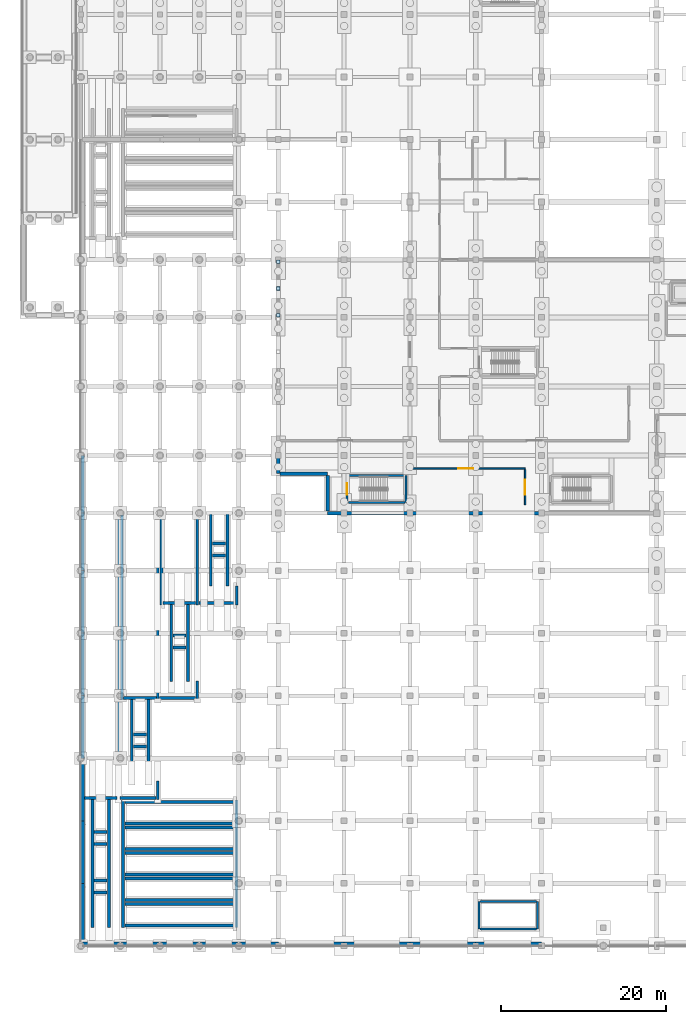
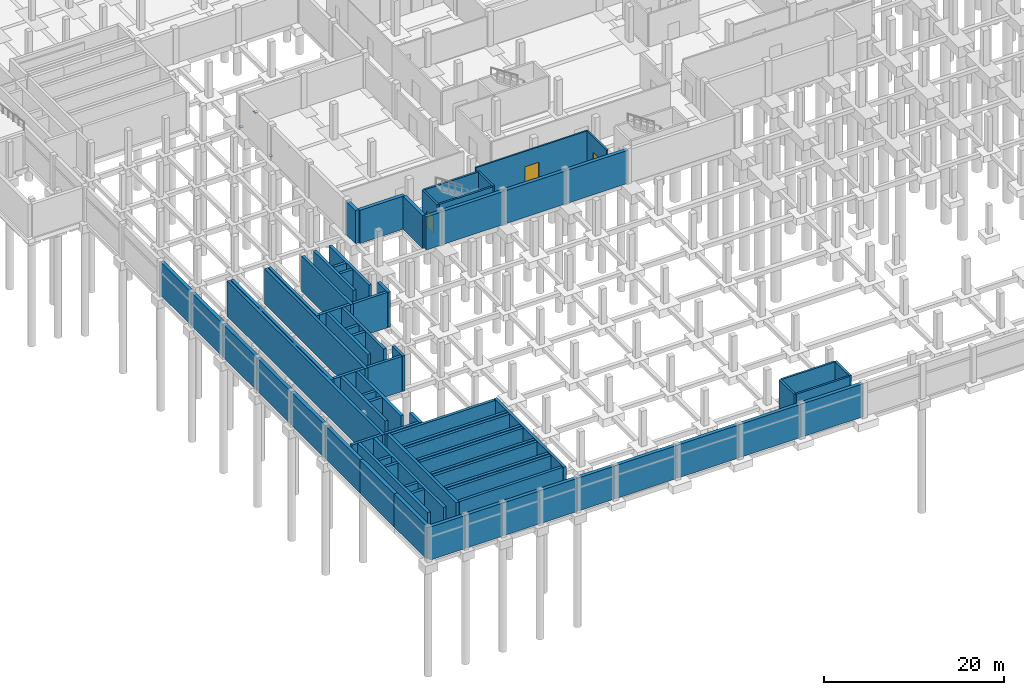
# One storey, part 32 of 50: 78 walls, 4 plates, 3 doors, 3 openings.
"""IFC4 building model written with IfcOpenShell, lengths in metres."""

from ifc_helpers import new_model, si_unit, direction, frame, frame_2d, origin, origin_2d, place, context, subcontext, project, spatial, rectangle, extrude, material, layer, layer_set, type_object, element, fill, save


model = new_model("IFC4")

# Units and contexts
model_context = context("Model", 3, precision=1e-05, world=origin(), true_north=direction((0.0, 1.0)))
body_context = subcontext(model_context, "Body", "Model", "MODEL_VIEW")
ifc_project = project(units=[si_unit("LENGTHUNIT", "METRE"), si_unit("AREAUNIT", "SQUARE_METRE"), si_unit("VOLUMEUNIT", "CUBIC_METRE"), si_unit("PLANEANGLEUNIT", "RADIAN"), si_unit("MASSUNIT", "GRAM", prefix="KILO")], contexts=[model_context])

# Site, building, storey
site_placement = place(None, origin())
site = spatial("IfcSite", under=ifc_project, at=site_placement, CompositionType="ELEMENT")
building_placement = place(site_placement, origin())
building = spatial("IfcBuilding", under=site, at=building_placement, Name="Vekula Escarpment Museum", CompositionType="ELEMENT")
storey_placement = place(building_placement, frame((0.0, 0.0, -4.800048828125)))
storey = spatial("IfcBuildingStorey", under=building, at=storey_placement, Name="B1", CompositionType="ELEMENT", Elevation=-4.800048828125)

# Plates
ifc_material_1 = material(Name="Steel S355", Category="steel")
ifc_layer_1 = layer(ifc_material_1, 0.02392578125)
ifc_layer_set_1 = layer_set([ifc_layer_1], Name="Steel S355")
plate_type_1 = type_object("IfcPlateType", Name="PL-CAP-24", PredefinedType="SHEET", material=ifc_layer_set_1)
for number, where, z_axis, x_axis, name in (
    (1, (24.0, 76.64306640625, 0.17919921875), (0.0, 0.0, 1.0), (1.0, 0.0, 0.0), "Hollow section end cap CP-24"),
    (2, (24.0, 83.15673828125, 0.17919921875), (0.0, 0.0, 1.0), (1.0, 0.0, 0.0), "Hollow section end cap CP-24"),
    (3, (24.0, 79.89306640625, 4.15625), (0.0, 0.0, 1.0), (1.0, 0.0, 0.0), "Hollow section end cap CP-24"),
):
    element("IfcPlate", number, at=place(storey_placement, frame(where, z_axis=z_axis, x_axis=x_axis)), inside=storey, type_object=plate_type_1, Name=name, PredefinedType="SHEET", context=body_context, shape_type="SweptSolid", body=[
        extrude(rectangle(XDim=0.3798828125, YDim=0.3798828125, at=origin_2d()), origin(), (0.0, 0.0, 1.0), 0.104736328125),
    ])
ifc_material_2 = material(Name="Steel S355", Category="steel")
ifc_layer_2 = layer(ifc_material_2, 0.0400390625)
ifc_layer_set_2 = layer_set([ifc_layer_2], Name="Steel S355")
plate_type_2 = type_object("IfcPlateType", Name="PL-CAP-40", PredefinedType="SHEET", material=ifc_layer_set_2)
plate_placement = place(storey_placement, frame((24.0, 79.89990234375, 4.197998046875), z_axis=(0.0, 0.0, 1.0), x_axis=(1.0, 0.0, 0.0)))
element("IfcPlate", 4, at=plate_placement, inside=storey, type_object=plate_type_2, Name="Hollow section end cap GP-40", PredefinedType="SHEET", context=body_context, shape_type="SweptSolid", body=[
    extrude(rectangle(XDim=0.4599609375, YDim=0.4599609375, at=origin_2d()), origin(), (0.0, 0.0, 1.0), 0.0400390625),
])

# Walls
ifc_material_3 = material(Name="Inkisi arkosic sandstone masonry", Category="masonry")
ifc_layer_3 = layer(ifc_material_3, 0.360107421875)
ifc_layer_set_3 = layer_set([ifc_layer_3], Name="Inkisi arkosic sandstone masonry")
wall_type_1 = type_object("IfcWallType", Name="WL-AMP-CHEEK", PredefinedType="SOLIDWALL", material=ifc_layer_set_3)
for number, where, z_axis, x_axis, name in (
    (5, (1.389892578125, 2.2099609375, 0.0), (0.0, 0.0, 1.0), (0.0, 1.0, 0.0), "Escarpment Plinth Sub-Plinth Wall ST-AMP-S1 W"),
    (6, (3.409912109375, 2.2099609375, 0.0), (0.0, 0.0, 1.0), (0.0, 1.0, 0.0), "Escarpment Plinth Sub-Plinth Wall ST-AMP-S1 E"),
):
    element("IfcWall", number, at=place(storey_placement, frame(where, z_axis=z_axis, x_axis=x_axis)), inside=storey, type_object=wall_type_1, Name=name, PredefinedType="SOLIDWALL", context=body_context, shape_type="SweptSolid", body=[
        extrude(rectangle(XDim=15.590087890625, YDim=0.360107421875, at=frame_2d((7.794921875, 0.0))), origin(), (0.0, 0.0, 1.0), 4.800048828125),
    ])
for number, where, z_axis, x_axis, name in (
    (7, (1.60009765625, 6.469970703125, 0.0), (0.0, 0.0, 1.0), (1.0, 0.0, 0.0), "Escarpment Plinth Landing Sub-Wall ST-AMP-S1-1A"),
    (8, (1.60009765625, 7.919921875, 0.0), (0.0, 0.0, 1.0), (1.0, 0.0, 0.0), "Escarpment Plinth Landing Sub-Wall ST-AMP-S1-1B"),
    (9, (1.60009765625, 12.3798828125, 0.0), (0.0, 0.0, 1.0), (1.0, 0.0, 0.0), "Escarpment Plinth Landing Sub-Wall ST-AMP-S1-2A"),
    (10, (1.60009765625, 13.830078125, 0.0), (0.0, 0.0, 1.0), (1.0, 0.0, 0.0), "Escarpment Plinth Landing Sub-Wall ST-AMP-S1-2B"),
):
    element("IfcWall", number, at=place(storey_placement, frame(where, z_axis=z_axis, x_axis=x_axis)), inside=storey, type_object=wall_type_1, Name=name, PredefinedType="SOLIDWALL", context=body_context, shape_type="SweptSolid", body=[
        extrude(rectangle(XDim=1.599853515625, YDim=0.360107421875, at=frame_2d((0.7998046875, 0.0))), origin(), (0.0, 0.0, 1.0), 4.800048828125),
    ])
for number, where, z_axis, x_axis, name in (
    (11, (6.18994140625, 19.97998046875, 0.0), (0.0, 0.0, 1.0), (0.0, 1.0, 0.0), "Escarpment Plinth Sub-Plinth Wall ST-AMP-S2 W"),
    (12, (8.2099609375, 19.97998046875, 0.0), (0.0, 0.0, 1.0), (0.0, 1.0, 0.0), "Escarpment Plinth Sub-Plinth Wall ST-AMP-S2 E"),
):
    element("IfcWall", number, at=place(storey_placement, frame(where, z_axis=z_axis, x_axis=x_axis)), inside=storey, type_object=wall_type_1, Name=name, PredefinedType="SOLIDWALL", context=body_context, shape_type="SweptSolid", body=[
        extrude(rectangle(XDim=9.969970703125, YDim=0.360107421875, at=frame_2d((4.98486328125, 0.0))), origin(), (0.0, 0.0, 1.0), 4.800048828125),
    ])
for number, where, z_axis, x_axis, name in (
    (13, (6.39990234375, 24.239990234375, 0.0), (0.0, 0.0, 1.0), (1.0, 0.0, 0.0), "Escarpment Plinth Landing Sub-Wall ST-AMP-S2-1A"),
    (14, (6.39990234375, 25.68994140625, 0.0), (0.0, 0.0, 1.0), (1.0, 0.0, 0.0), "Escarpment Plinth Landing Sub-Wall ST-AMP-S2-1B"),
):
    element("IfcWall", number, at=place(storey_placement, frame(where, z_axis=z_axis, x_axis=x_axis)), inside=storey, type_object=wall_type_1, Name=name, PredefinedType="SOLIDWALL", context=body_context, shape_type="SweptSolid", body=[
        extrude(rectangle(XDim=1.60009765625, YDim=0.360107421875, at=frame_2d((0.800048828125, 0.0))), origin(), (0.0, 0.0, 1.0), 4.800048828125),
    ])
for number, where, z_axis, x_axis, name in (
    (15, (10.989990234375, 32.14990234375, 0.0), (0.0, 0.0, 1.0), (0.0, 1.0, 0.0), "Escarpment Plinth Sub-Plinth Wall ST-AMP-S3 W"),
    (16, (13.010009765625, 32.14990234375, 0.0), (0.0, 0.0, 1.0), (0.0, 1.0, 0.0), "Escarpment Plinth Sub-Plinth Wall ST-AMP-S3 E"),
):
    element("IfcWall", number, at=place(storey_placement, frame(where, z_axis=z_axis, x_axis=x_axis)), inside=storey, type_object=wall_type_1, Name=name, PredefinedType="SOLIDWALL", context=body_context, shape_type="SweptSolid", body=[
        extrude(rectangle(XDim=9.35009765625, YDim=0.360107421875, at=frame_2d((4.675048828125, 0.0))), origin(), (0.0, 0.0, 1.0), 4.800048828125),
    ])
for number, where, z_axis, x_axis, name in (
    (17, (11.199951171875, 36.25, 0.0), (0.0, 0.0, 1.0), (1.0, 0.0, 0.0), "Escarpment Plinth Landing Sub-Wall ST-AMP-S3-1A"),
    (18, (11.199951171875, 37.699951171875, 0.0), (0.0, 0.0, 1.0), (1.0, 0.0, 0.0), "Escarpment Plinth Landing Sub-Wall ST-AMP-S3-1B"),
):
    element("IfcWall", number, at=place(storey_placement, frame(where, z_axis=z_axis, x_axis=x_axis)), inside=storey, type_object=wall_type_1, Name=name, PredefinedType="SOLIDWALL", context=body_context, shape_type="SweptSolid", body=[
        extrude(rectangle(XDim=1.60009765625, YDim=0.360107421875, at=frame_2d((0.800048828125, 0.0))), origin(), (0.0, 0.0, 1.0), 4.800048828125),
    ])
for number, where, z_axis, x_axis, name in (
    (19, (15.7900390625, 43.7099609375, 0.0), (0.0, 0.0, 1.0), (0.0, 1.0, 0.0), "Escarpment Plinth Sub-Plinth Wall ST-AMP-S4 W"),
    (20, (17.81005859375, 43.7099609375, 0.0), (0.0, 0.0, 1.0), (0.0, 1.0, 0.0), "Escarpment Plinth Sub-Plinth Wall ST-AMP-S4 E"),
):
    element("IfcWall", number, at=place(storey_placement, frame(where, z_axis=z_axis, x_axis=x_axis)), inside=storey, type_object=wall_type_1, Name=name, PredefinedType="SOLIDWALL", context=body_context, shape_type="SweptSolid", body=[
        extrude(rectangle(XDim=8.89013671875, YDim=0.360107421875, at=frame_2d((4.445068359375, 0.0))), origin(), (0.0, 0.0, 1.0), 4.800048828125),
    ])
for number, where, z_axis, x_axis, name in (
    (21, (16.0, 47.429931640625, 0.0), (0.0, 0.0, 1.0), (1.0, 0.0, 0.0), "Escarpment Plinth Landing Sub-Wall ST-AMP-S4-1A"),
    (22, (16.0, 48.8798828125, 0.0), (0.0, 0.0, 1.0), (1.0, 0.0, 0.0), "Escarpment Plinth Landing Sub-Wall ST-AMP-S4-1B"),
):
    element("IfcWall", number, at=place(storey_placement, frame(where, z_axis=z_axis, x_axis=x_axis)), inside=storey, type_object=wall_type_1, Name=name, PredefinedType="SOLIDWALL", context=body_context, shape_type="SweptSolid", body=[
        extrude(rectangle(XDim=1.60009765625, YDim=0.360107421875, at=frame_2d((0.800048828125, 0.0))), origin(), (0.0, 0.0, 1.0), 4.800048828125),
    ])
wall_1_placement = place(storey_placement, frame((4.550048828125, 17.760009765625, 0.0), z_axis=(0.0, 0.0, 1.0), x_axis=(0.0, 1.0, 0.0)))
element("IfcWall", 23, at=wall_1_placement, inside=storey, type_object=wall_type_1, Name="Terrace Plinth Sub-Wall B1-03", PredefinedType="SOLIDWALL", context=body_context, shape_type="SweptSolid", body=[
    extrude(rectangle(XDim=34.590087890625, YDim=0.360107421875, at=frame_2d((17.294921875, 0.0))), origin(), (0.0, 0.0, 1.0), 4.800048828125),
])
wall_2_placement = place(storey_placement, frame((9.35009765625, 17.760009765625, 0.0), z_axis=(0.0, 0.0, 1.0), x_axis=(0.0, 1.0, 0.0)))
element("IfcWall", 24, at=wall_2_placement, inside=storey, type_object=wall_type_1, Name="Terrace Plinth Sub-Wall B1-04", PredefinedType="SOLIDWALL", context=body_context, shape_type="SweptSolid", body=[
    extrude(rectangle(XDim=2.260009765625, YDim=0.360107421875, at=frame_2d((1.1298828125, 0.0))), origin(), (0.0, 0.0, 1.0), 4.800048828125),
])
wall_3_placement = place(storey_placement, frame((0.4541015625, 17.949951171875, 0.0), z_axis=(0.0, 0.0, 1.0), x_axis=(1.0, 0.0, 0.0)))
element("IfcWall", 25, at=wall_3_placement, inside=storey, type_object=wall_type_1, Name="Terrace Plinth Sub-Wall B1-05", PredefinedType="SOLIDWALL", context=body_context, shape_type="SweptSolid", body=[
    extrude(rectangle(XDim=3.911865234375, YDim=0.360107421875, at=frame_2d((1.9560546875, 0.0))), origin(), (0.0, 0.0, 1.0), 4.800048828125),
])
wall_4_placement = place(storey_placement, frame((4.73388671875, 17.949951171875, 0.0), z_axis=(0.0, 0.0, 1.0), x_axis=(1.0, 0.0, 0.0)))
element("IfcWall", 26, at=wall_4_placement, inside=storey, type_object=wall_type_1, Name="Terrace Plinth Sub-Wall B1-05", PredefinedType="SOLIDWALL", context=body_context, shape_type="SweptSolid", body=[
    extrude(rectangle(XDim=4.416015625, YDim=0.360107421875, at=frame_2d((2.2080078125, 0.0))), origin(), (0.0, 0.0, 1.0), 4.800048828125),
])
for number, where, z_axis, x_axis, name in (
    (27, (5.0, 29.909912109375, 0.0), (0.0, 0.0, 1.0), (0.0, 1.0, 0.0), "Terrace Plinth Sub-Wall B1-08"),
    (28, (9.35009765625, 29.909912109375, 0.0), (0.0, 0.0, 1.0), (0.0, 1.0, 0.0), "Terrace Plinth Sub-Wall B1-09"),
):
    element("IfcWall", number, at=place(storey_placement, frame(where, z_axis=z_axis, x_axis=x_axis)), inside=storey, type_object=wall_type_1, Name=name, PredefinedType="SOLIDWALL", context=body_context, shape_type="SweptSolid", body=[
        extrude(rectangle(XDim=22.440185546875, YDim=0.360107421875, at=frame_2d((11.22021484375, 0.0))), origin(), (0.0, 0.0, 1.0), 4.800048828125),
    ])
wall_5_placement = place(storey_placement, frame((14.14990234375, 29.909912109375, 0.0), z_axis=(0.0, 0.0, 1.0), x_axis=(0.0, 1.0, 0.0)))
element("IfcWall", 29, at=wall_5_placement, inside=storey, type_object=wall_type_1, Name="Terrace Plinth Sub-Wall B1-10", PredefinedType="SOLIDWALL", context=body_context, shape_type="SweptSolid", body=[
    extrude(rectangle(XDim=2.280029296875, YDim=0.360107421875, at=frame_2d((1.14013671875, 0.0))), origin(), (0.0, 0.0, 1.0), 4.800048828125),
])
wall_6_placement = place(storey_placement, frame((5.199951171875, 30.10009765625, 0.0), z_axis=(0.0, 0.0, 1.0), x_axis=(1.0, 0.0, 0.0)))
element("IfcWall", 30, at=wall_6_placement, inside=storey, type_object=wall_type_1, Name="Terrace Plinth Sub-Wall B1-11", PredefinedType="SOLIDWALL", context=body_context, shape_type="SweptSolid", body=[
    extrude(rectangle(XDim=3.966064453125, YDim=0.360107421875, at=frame_2d((1.98291015625, 0.0))), origin(), (0.0, 0.0, 1.0), 4.800048828125),
])
wall_7_placement = place(storey_placement, frame((9.533935546875, 30.10009765625, 0.0), z_axis=(0.0, 0.0, 1.0), x_axis=(1.0, 0.0, 0.0)))
element("IfcWall", 31, at=wall_7_placement, inside=storey, type_object=wall_type_1, Name="Terrace Plinth Sub-Wall B1-11", PredefinedType="SOLIDWALL", context=body_context, shape_type="SweptSolid", body=[
    extrude(rectangle(XDim=4.416015625, YDim=0.360107421875, at=frame_2d((2.2080078125, 0.0))), origin(), (0.0, 0.0, 1.0), 4.800048828125),
])
for number, where, z_axis, x_axis, name in (
    (32, (9.800048828125, 41.4599609375, 0.0), (0.0, 0.0, 1.0), (0.0, 1.0, 0.0), "Terrace Plinth Sub-Wall B1-12"),
    (33, (14.14990234375, 41.4599609375, 0.0), (0.0, 0.0, 1.0), (0.0, 1.0, 0.0), "Terrace Plinth Sub-Wall B1-13"),
):
    element("IfcWall", number, at=place(storey_placement, frame(where, z_axis=z_axis, x_axis=x_axis)), inside=storey, type_object=wall_type_1, Name=name, PredefinedType="SOLIDWALL", context=body_context, shape_type="SweptSolid", body=[
        extrude(rectangle(XDim=10.89013671875, YDim=0.360107421875, at=frame_2d((5.445068359375, 0.0))), origin(), (0.0, 0.0, 1.0), 4.800048828125),
    ])
wall_8_placement = place(storey_placement, frame((18.949951171875, 41.4599609375, 0.0), z_axis=(0.0, 0.0, 1.0), x_axis=(0.0, 1.0, 0.0)))
element("IfcWall", 34, at=wall_8_placement, inside=storey, type_object=wall_type_1, Name="Terrace Plinth Sub-Wall B1-14", PredefinedType="SOLIDWALL", context=body_context, shape_type="SweptSolid", body=[
    extrude(rectangle(XDim=2.2900390625, YDim=0.360107421875, at=frame_2d((1.14501953125, 0.0))), origin(), (0.0, 0.0, 1.0), 4.800048828125),
])
wall_9_placement = place(storey_placement, frame((10.0, 41.64990234375, 0.0), z_axis=(0.0, 0.0, 1.0), x_axis=(1.0, 0.0, 0.0)))
element("IfcWall", 35, at=wall_9_placement, inside=storey, type_object=wall_type_1, Name="Terrace Plinth Sub-Wall B1-15", PredefinedType="SOLIDWALL", context=body_context, shape_type="SweptSolid", body=[
    extrude(rectangle(XDim=3.966064453125, YDim=0.360107421875, at=frame_2d((1.98291015625, 0.0))), origin(), (0.0, 0.0, 1.0), 4.800048828125),
])
wall_10_placement = place(storey_placement, frame((14.333984375, 41.64990234375, 0.0), z_axis=(0.0, 0.0, 1.0), x_axis=(1.0, 0.0, 0.0)))
element("IfcWall", 36, at=wall_10_placement, inside=storey, type_object=wall_type_1, Name="Terrace Plinth Sub-Wall B1-15", PredefinedType="SOLIDWALL", context=body_context, shape_type="SweptSolid", body=[
    extrude(rectangle(XDim=4.416015625, YDim=0.360107421875, at=frame_2d((2.2080078125, 0.0))), origin(), (0.0, 0.0, 1.0), 4.800048828125),
])
for number, where, z_axis, x_axis, name in (
    (37, (5.10009765625, 2.25, 0.0), (0.0, 0.0, 1.0), (0.0, 1.0, 0.0), "Escarpment Plinth Bowl Sub-Wall S-W"),
    (38, (18.89990234375, 2.25, 0.0), (0.0, 0.0, 1.0), (0.0, 1.0, 0.0), "Escarpment Plinth Bowl Sub-Wall S-E"),
):
    element("IfcWall", number, at=place(storey_placement, frame(where, z_axis=z_axis, x_axis=x_axis)), inside=storey, type_object=wall_type_1, Name=name, PredefinedType="SOLIDWALL", context=body_context, shape_type="SweptSolid", body=[
        extrude(rectangle(XDim=15.469970703125, YDim=0.360107421875, at=frame_2d((7.73486328125, 0.0))), origin(), (0.0, 0.0, 1.0), 4.800048828125),
    ])
for number, where, z_axis, x_axis, name in (
    (39, (5.35009765625, 2.469970703125, 0.0), (0.0, 0.0, 1.0), (1.0, 0.0, 0.0), "Escarpment Plinth Bench Sub-Wall 01F"),
    (40, (5.35009765625, 5.080078125, 0.0), (0.0, 0.0, 1.0), (1.0, 0.0, 0.0), "Escarpment Plinth Bench Sub-Wall 01B"),
    (41, (5.35009765625, 5.550048828125, 0.0), (0.0, 0.0, 1.0), (1.0, 0.0, 0.0), "Escarpment Plinth Bench Sub-Wall 02F"),
    (42, (5.35009765625, 8.179931640625, 0.0), (0.0, 0.0, 1.0), (1.0, 0.0, 0.0), "Escarpment Plinth Bench Sub-Wall 02B"),
    (43, (5.35009765625, 8.64990234375, 0.0), (0.0, 0.0, 1.0), (1.0, 0.0, 0.0), "Escarpment Plinth Bench Sub-Wall 03F"),
    (44, (5.35009765625, 11.280029296875, 0.0), (0.0, 0.0, 1.0), (1.0, 0.0, 0.0), "Escarpment Plinth Bench Sub-Wall 03B"),
    (45, (5.35009765625, 11.75, 0.0), (0.0, 0.0, 1.0), (1.0, 0.0, 0.0), "Escarpment Plinth Bench Sub-Wall 04F"),
    (46, (5.35009765625, 14.3798828125, 0.0), (0.0, 0.0, 1.0), (1.0, 0.0, 0.0), "Escarpment Plinth Bench Sub-Wall 04B"),
    (47, (5.35009765625, 14.85009765625, 0.0), (0.0, 0.0, 1.0), (1.0, 0.0, 0.0), "Escarpment Plinth Bench Sub-Wall 05F"),
    (48, (5.35009765625, 17.5, 0.0), (0.0, 0.0, 1.0), (1.0, 0.0, 0.0), "Escarpment Plinth Bench Sub-Wall 05B"),
):
    element("IfcWall", number, at=place(storey_placement, frame(where, z_axis=z_axis, x_axis=x_axis)), inside=storey, type_object=wall_type_1, Name=name, PredefinedType="SOLIDWALL", context=body_context, shape_type="SweptSolid", body=[
        extrude(rectangle(XDim=13.2998046875, YDim=0.360107421875, at=frame_2d((6.64990234375, 0.0))), origin(), (0.0, 0.0, 1.0), 4.800048828125),
    ])
ifc_material_4 = material(Name="Concrete C35/45", Category="concrete")
ifc_layer_4 = layer(ifc_material_4, 0.25)
ifc_layer_set_4 = layer_set([ifc_layer_4], Name="Concrete C35/45")
wall_type_2 = type_object("IfcWallType", Name="WL-CORE-250", PredefinedType="SHEAR", material=ifc_layer_set_4)
for number, where, z_axis, x_axis, name in (
    (49, (48.375, 2.074951171875, 0.0), (0.0, 0.0, 1.0), (0.0, 1.0, 0.0), "Stair Sub-Plinth Wall ST-07 W"),
    (50, (55.52490234375, 2.074951171875, 0.0), (0.0, 0.0, 1.0), (0.0, 1.0, 0.0), "Stair Sub-Plinth Wall ST-07 E"),
):
    element("IfcWall", number, at=place(storey_placement, frame(where, z_axis=z_axis, x_axis=x_axis)), inside=storey, type_object=wall_type_2, Name=name, PredefinedType="SHEAR", context=body_context, shape_type="SweptSolid", body=[
        extrude(rectangle(XDim=3.2900390625, YDim=0.25, at=frame_2d((1.64501953125, 0.0))), origin(), (0.0, 0.0, 1.0), 4.5),
    ])
for number, where, z_axis, x_axis, name in (
    (51, (48.50390625, 2.074951171875, 0.0), (0.0, 0.0, 1.0), (1.0, 0.0, 0.0), "Stair Sub-Plinth Wall ST-07 S"),
    (52, (48.50390625, 5.364990234375, 0.0), (0.0, 0.0, 1.0), (1.0, 0.0, 0.0), "Stair Sub-Plinth Wall ST-07 N"),
):
    element("IfcWall", number, at=place(storey_placement, frame(where, z_axis=z_axis, x_axis=x_axis)), inside=storey, type_object=wall_type_2, Name=name, PredefinedType="SHEAR", context=body_context, shape_type="SweptSolid", body=[
        extrude(rectangle(XDim=6.89208984375, YDim=0.25, at=frame_2d((3.446044921875, 0.0))), origin(), (0.0, 0.0, 1.0), 4.5),
    ])

# Wall, opening, door
wall_11_placement = place(storey_placement, frame((32.375, 53.875, 0.0), z_axis=(0.0, 0.0, 1.0), x_axis=(0.0, 1.0, 0.0)))
wall_11 = element("IfcWall", 53, at=wall_11_placement, inside=storey, type_object=wall_type_2, Name="Stair Core Wall ST-04 B1 W", PredefinedType="SHEAR", context=body_context, shape_type="SweptSolid", body=[
    extrude(rectangle(XDim=3.2900390625, YDim=0.25, at=frame_2d((1.64501953125, 0.0))), origin(), (0.0, 0.0, 1.0), 4.5),
])
opening_1_placement = place(wall_11_placement, frame((0.945068359375, 0.0, 0.0)))
opening_1 = element("IfcOpeningElement", 54, at=opening_1_placement, cuts=wall_11, Name="Opening DR-FD60", PredefinedType="OPENING", context=body_context, shape_type="SweptSolid", body=[
    extrude(rectangle(XDim=1.39990234375, YDim=2.199951171875, at=frame_2d((0.699951171875, 1.10009765625))), frame((0.0, 0.135009765625, 0.0), z_axis=(0.0, -1.0, 0.0), x_axis=(1.0, 0.0, 0.0)), (0.0, 0.0, 1.0), 0.27001953125),
])
ifc_material_5 = material(Name="Fire-rated steel stair door", Category="steel")
door_type_1 = type_object("IfcDoorType", Name="DR-STAIR-1400x2200", OperationType="NOTDEFINED", PredefinedType="DOOR", material=ifc_material_5)
door_1_placement = place(opening_1_placement, origin())
door_1 = element("IfcDoor", 55, at=door_1_placement, inside=storey, type_object=door_type_1, Name="Protected Exit Stair Door ST-04 B1", OperationType="SINGLE_SWING_LEFT", OverallHeight=2.199951171875, OverallWidth=1.39990234375, PredefinedType="DOOR", context=body_context, shape_type="SweptSolid", body=[
    extrude(rectangle(XDim=1.39990234375, YDim=2.199951171875, at=frame_2d((0.699951171875, 1.10009765625))), frame((0.0, 0.02490234375, 0.0), z_axis=(0.0, -1.0, 0.0), x_axis=(1.0, 0.0, 0.0)), (0.0, 0.0, 1.0), 0.050048828125),
])
fill(opening_1, door_1)

# Walls
wall_12_placement = place(storey_placement, frame((39.52490234375, 53.875, 0.0), z_axis=(0.0, 0.0, 1.0), x_axis=(0.0, 1.0, 0.0)))
element("IfcWall", 56, at=wall_12_placement, inside=storey, type_object=wall_type_2, Name="Stair Core Wall ST-04 B1 E", PredefinedType="SHEAR", context=body_context, shape_type="SweptSolid", body=[
    extrude(rectangle(XDim=3.2900390625, YDim=0.25, at=frame_2d((1.64501953125, 0.0))), origin(), (0.0, 0.0, 1.0), 4.5),
])
for number, where, z_axis, x_axis, name in (
    (57, (32.50390625, 53.875, 0.0), (0.0, 0.0, 1.0), (1.0, 0.0, 0.0), "Stair Core Wall ST-04 B1 S"),
    (58, (32.50390625, 57.1650390625, 0.0), (0.0, 0.0, 1.0), (1.0, 0.0, 0.0), "Stair Core Wall ST-04 B1 N"),
):
    element("IfcWall", number, at=place(storey_placement, frame(where, z_axis=z_axis, x_axis=x_axis)), inside=storey, type_object=wall_type_2, Name=name, PredefinedType="SHEAR", context=body_context, shape_type="SweptSolid", body=[
        extrude(rectangle(XDim=6.89208984375, YDim=0.25, at=frame_2d((3.446044921875, 0.0))), origin(), (0.0, 0.0, 1.0), 4.5),
    ])

# Wall, opening, door
ifc_material_6 = material(Name="Concrete C35/45", Category="concrete")
ifc_layer_5 = layer(ifc_material_6, 0.199951171875)
ifc_layer_set_5 = layer_set([ifc_layer_5], Name="Concrete C35/45")
wall_type_3 = type_object("IfcWallType", Name="WL-FFL-200", PredefinedType="PARTITIONING", material=ifc_layer_set_5)
wall_13_placement = place(storey_placement, frame((39.60009765625, 58.0, 0.0), z_axis=(0.0, 0.0, 1.0), x_axis=(1.0, 0.0, 0.0)))
wall_13 = element("IfcWall", 59, at=wall_13_placement, inside=storey, type_object=wall_type_3, Name="Interior Partition WL-INT-B1-0012", PredefinedType="PARTITIONING", context=body_context, shape_type="SweptSolid", body=[
    extrude(rectangle(XDim=14.39990234375, YDim=0.199951171875, at=frame_2d((7.199951171875, 0.0))), origin(), (0.0, 0.0, 1.0), 4.5),
])
opening_2_placement = place(wall_13_placement, frame((6.300048828125, 0.0, 0.0)))
opening_2 = element("IfcOpeningElement", 60, at=opening_2_placement, cuts=wall_13, Name="Opening DR-FD120", PredefinedType="OPENING", context=body_context, shape_type="SweptSolid", body=[
    extrude(rectangle(XDim=1.800048828125, YDim=2.39990234375, at=frame_2d((0.89990234375, 1.199951171875))), frame((0.0, 0.10986328125, 0.0), z_axis=(0.0, -1.0, 0.0), x_axis=(1.0, 0.0, 0.0)), (0.0, 0.0, 1.0), 0.219970703125),
])
ifc_material_7 = material(Name="Fire-rated steel archive vault door", Category="steel")
door_type_2 = type_object("IfcDoorType", Name="DR-VAULT-1800x2400", OperationType="NOTDEFINED", PredefinedType="DOOR", material=ifc_material_7)
door_2_placement = place(opening_2_placement, origin())
door_2 = element("IfcDoor", 61, at=door_2_placement, inside=storey, type_object=door_type_2, Name="Interior Door B1-009", OperationType="SINGLE_SWING_LEFT", OverallHeight=2.39990234375, OverallWidth=1.800048828125, PredefinedType="DOOR", context=body_context, shape_type="SweptSolid", body=[
    extrude(rectangle(XDim=1.800048828125, YDim=2.39990234375, at=frame_2d((0.89990234375, 1.199951171875))), frame((0.0, 0.02490234375, 0.0), z_axis=(0.0, -1.0, 0.0), x_axis=(1.0, 0.0, 0.0)), (0.0, 0.0, 1.0), 0.050048828125),
])
fill(opening_2, door_2)

wall_14_placement = place(storey_placement, frame((54.0, 53.60009765625, 0.0), z_axis=(0.0, 0.0, 1.0), x_axis=(0.0, 1.0, 0.0)))
wall_14 = element("IfcWall", 62, at=wall_14_placement, inside=storey, type_object=wall_type_3, Name="Interior Partition WL-INT-B1-0019", PredefinedType="PARTITIONING", context=body_context, shape_type="SweptSolid", body=[
    extrude(rectangle(XDim=4.2958984375, YDim=0.199951171875, at=frame_2d((2.14794921875, 0.0))), origin(), (0.0, 0.0, 1.0), 4.5),
])
opening_3_placement = place(wall_14_placement, frame((1.248046875, 0.0, 0.0)))
opening_3 = element("IfcOpeningElement", 63, at=opening_3_placement, cuts=wall_14, Name="Opening DR-FD120", PredefinedType="OPENING", context=body_context, shape_type="SweptSolid", body=[
    extrude(rectangle(XDim=1.800048828125, YDim=2.39990234375, at=frame_2d((0.89990234375, 1.199951171875))), frame((0.0, 0.10986328125, 0.0), z_axis=(0.0, -1.0, 0.0), x_axis=(1.0, 0.0, 0.0)), (0.0, 0.0, 1.0), 0.219970703125),
])
door_3_placement = place(opening_3_placement, origin())
door_3 = element("IfcDoor", 64, at=door_3_placement, inside=storey, type_object=door_type_2, Name="Interior Door B1-015", OperationType="SINGLE_SWING_LEFT", OverallHeight=2.39990234375, OverallWidth=1.800048828125, PredefinedType="DOOR", context=body_context, shape_type="SweptSolid", body=[
    extrude(rectangle(XDim=1.800048828125, YDim=2.39990234375, at=frame_2d((0.89990234375, 1.199951171875))), frame((0.0, 0.02490234375, 0.0), z_axis=(0.0, -1.0, 0.0), x_axis=(1.0, 0.0, 0.0)), (0.0, 0.0, 1.0), 0.050048828125),
])
fill(opening_3, door_3)

# Walls
ifc_material_8 = material(Name="Inkisi arkosic sandstone masonry", Category="masonry")
ifc_layer_6 = layer(ifc_material_8, 0.449951171875)
ifc_layer_set_6 = layer_set([ifc_layer_6], Name="Inkisi arkosic sandstone masonry")
wall_type_4 = type_object("IfcWallType", Name="WL-PLN-450", PredefinedType="SOLIDWALL", material=ifc_layer_set_6)
wall_15_placement = place(storey_placement, frame((0.22509765625, 0.22509765625, 0.0), z_axis=(0.0, 0.0, 1.0), x_axis=(1.0, 0.0, 0.0)))
element("IfcWall", 65, at=wall_15_placement, inside=storey, type_object=wall_type_4, Name="Sandstone Plinth Perimeter Wall 0001", PredefinedType="SOLIDWALL", context=body_context, shape_type="SweptSolid", body=[
    extrude(rectangle(XDim=4.574951171875, YDim=0.449951171875, at=frame_2d((2.28759765625, 0.0))), origin(), (0.0, 0.0, 1.0), 4.5),
])
wall_16_placement = place(storey_placement, frame((4.800048828125, 0.22509765625, 0.0), z_axis=(0.0, 0.0, 1.0), x_axis=(1.0, 0.0, 0.0)))
element("IfcWall", 66, at=wall_16_placement, inside=storey, type_object=wall_type_4, Name="Sandstone Plinth Perimeter Wall 0002", PredefinedType="SOLIDWALL", context=body_context, shape_type="SweptSolid", body=[
    extrude(rectangle(XDim=4.800048828125, YDim=0.449951171875, at=frame_2d((2.39990234375, 0.0))), origin(), (0.0, 0.0, 1.0), 4.5),
])
wall_17_placement = place(storey_placement, frame((9.60009765625, 0.22509765625, 0.0), z_axis=(0.0, 0.0, 1.0), x_axis=(1.0, 0.0, 0.0)))
element("IfcWall", 67, at=wall_17_placement, inside=storey, type_object=wall_type_4, Name="Sandstone Plinth Perimeter Wall 0003", PredefinedType="SOLIDWALL", context=body_context, shape_type="SweptSolid", body=[
    extrude(rectangle(XDim=4.7998046875, YDim=0.449951171875, at=frame_2d((2.39990234375, 0.0))), origin(), (0.0, 0.0, 1.0), 4.5),
])
for number, where, z_axis, x_axis, name in (
    (68, (14.39990234375, 0.22509765625, 0.0), (0.0, 0.0, 1.0), (1.0, 0.0, 0.0), "Sandstone Plinth Perimeter Wall 0004"),
    (69, (19.199951171875, 0.22509765625, 0.0), (0.0, 0.0, 1.0), (1.0, 0.0, 0.0), "Sandstone Plinth Perimeter Wall 0005"),
):
    element("IfcWall", number, at=place(storey_placement, frame(where, z_axis=z_axis, x_axis=x_axis)), inside=storey, type_object=wall_type_4, Name=name, PredefinedType="SOLIDWALL", context=body_context, shape_type="SweptSolid", body=[
        extrude(rectangle(XDim=4.800048828125, YDim=0.449951171875, at=frame_2d((2.39990234375, 0.0))), origin(), (0.0, 0.0, 1.0), 4.5),
    ])
for number, where, z_axis, x_axis, name in (
    (70, (24.0, 0.22509765625, 0.0), (0.0, 0.0, 1.0), (1.0, 0.0, 0.0), "Sandstone Plinth Perimeter Wall 0006"),
    (71, (32.0, 0.22509765625, 0.0), (0.0, 0.0, 1.0), (1.0, 0.0, 0.0), "Sandstone Plinth Perimeter Wall 0007"),
    (72, (40.0, 0.22509765625, 0.0), (0.0, 0.0, 1.0), (1.0, 0.0, 0.0), "Sandstone Plinth Perimeter Wall 0008"),
    (73, (48.0, 0.22509765625, 0.0), (0.0, 0.0, 1.0), (1.0, 0.0, 0.0), "Sandstone Plinth Perimeter Wall 0009"),
):
    element("IfcWall", number, at=place(storey_placement, frame(where, z_axis=z_axis, x_axis=x_axis)), inside=storey, type_object=wall_type_4, Name=name, PredefinedType="SOLIDWALL", context=body_context, shape_type="SweptSolid", body=[
        extrude(rectangle(XDim=8.0, YDim=0.449951171875, at=frame_2d((4.0, 0.0))), origin(), (0.0, 0.0, 1.0), 4.5),
    ])
for number, where, z_axis, x_axis, name in (
    (74, (0.22509765625, 59.60009765625, 0.0), (0.0, 0.0, 1.0), (0.0, -1.0, 0.0), "Sandstone Plinth Perimeter Wall 0074"),
    (75, (0.22509765625, 52.60009765625, 0.0), (0.0, 0.0, 1.0), (0.0, -1.0, 0.0), "Sandstone Plinth Perimeter Wall 0075"),
):
    element("IfcWall", number, at=place(storey_placement, frame(where, z_axis=z_axis, x_axis=x_axis)), inside=storey, type_object=wall_type_4, Name=name, PredefinedType="SOLIDWALL", context=body_context, shape_type="SweptSolid", body=[
        extrude(rectangle(XDim=7.0, YDim=0.449951171875, at=frame_2d((3.5, 0.0))), origin(), (0.0, 0.0, 1.0), 4.5),
    ])
for number, where, z_axis, x_axis, name in (
    (76, (0.22509765625, 45.60009765625, 0.0), (0.0, 0.0, 1.0), (0.0, -1.0, 0.0), "Sandstone Plinth Perimeter Wall 0076"),
    (77, (0.22509765625, 38.0, 0.0), (0.0, 0.0, 1.0), (0.0, -1.0, 0.0), "Sandstone Plinth Perimeter Wall 0077"),
):
    element("IfcWall", number, at=place(storey_placement, frame(where, z_axis=z_axis, x_axis=x_axis)), inside=storey, type_object=wall_type_4, Name=name, PredefinedType="SOLIDWALL", context=body_context, shape_type="SweptSolid", body=[
        extrude(rectangle(XDim=7.60009765625, YDim=0.449951171875, at=frame_2d((3.800048828125, 0.0))), origin(), (0.0, 0.0, 1.0), 4.5),
    ])
wall_18_placement = place(storey_placement, frame((0.22509765625, 30.39990234375, 0.0), z_axis=(0.0, 0.0, 1.0), x_axis=(0.0, -1.0, 0.0)))
element("IfcWall", 78, at=wall_18_placement, inside=storey, type_object=wall_type_4, Name="Sandstone Plinth Perimeter Wall 0078", PredefinedType="SOLIDWALL", context=body_context, shape_type="SweptSolid", body=[
    extrude(rectangle(XDim=7.599853515625, YDim=0.449951171875, at=frame_2d((3.7998046875, 0.0))), origin(), (0.0, 0.0, 1.0), 4.5),
])
wall_19_placement = place(storey_placement, frame((0.22509765625, 22.800048828125, 0.0), z_axis=(0.0, 0.0, 1.0), x_axis=(0.0, -1.0, 0.0)))
element("IfcWall", 79, at=wall_19_placement, inside=storey, type_object=wall_type_4, Name="Sandstone Plinth Perimeter Wall 0079", PredefinedType="SOLIDWALL", context=body_context, shape_type="SweptSolid", body=[
    extrude(rectangle(XDim=7.60009765625, YDim=0.449951171875, at=frame_2d((3.800048828125, 0.0))), origin(), (0.0, 0.0, 1.0), 4.5),
])
wall_20_placement = place(storey_placement, frame((0.22509765625, 15.199951171875, 0.0), z_axis=(0.0, 0.0, 1.0), x_axis=(0.0, -1.0, 0.0)))
element("IfcWall", 80, at=wall_20_placement, inside=storey, type_object=wall_type_4, Name="Sandstone Plinth Perimeter Wall 0080", PredefinedType="SOLIDWALL", context=body_context, shape_type="SweptSolid", body=[
    extrude(rectangle(XDim=7.599853515625, YDim=0.449951171875, at=frame_2d((3.7998046875, 0.0))), origin(), (0.0, 0.0, 1.0), 4.5),
])
wall_21_placement = place(storey_placement, frame((0.22509765625, 7.60009765625, 0.0), z_axis=(0.0, 0.0, 1.0), x_axis=(0.0, -1.0, 0.0)))
element("IfcWall", 81, at=wall_21_placement, inside=storey, type_object=wall_type_4, Name="Sandstone Plinth Perimeter Wall 0081", PredefinedType="SOLIDWALL", context=body_context, shape_type="SweptSolid", body=[
    extrude(rectangle(XDim=7.14599609375, YDim=0.449951171875, at=frame_2d((3.572998046875, 0.0))), origin(), (0.0, 0.0, 1.0), 4.5),
])
ifc_material_9 = material(Name="Concrete C35/45", Category="concrete")
ifc_layer_7 = layer(ifc_material_9, 0.449951171875)
ifc_layer_set_7 = layer_set([ifc_layer_7], Name="Concrete C35/45")
wall_type_5 = type_object("IfcWallType", Name="WL-RET-450", PredefinedType="USERDEFINED", material=ifc_layer_set_7)
wall_22_placement = place(storey_placement, frame((32.0, 52.60009765625, 0.0), z_axis=(0.0, 0.0, 1.0), x_axis=(-1.0, 0.0, 0.0)))
element("IfcWall", 82, at=wall_22_placement, inside=storey, type_object=wall_type_5, Name="Exterior Wall WL-EXT-B1-0001", ObjectType="RETAINING WALL", PredefinedType="USERDEFINED", context=body_context, shape_type="SweptSolid", body=[
    extrude(rectangle(XDim=2.0, YDim=0.449951171875, at=frame_2d((1.0, 0.0))), origin(), (0.0, 0.0, 1.0), 4.5),
])
for number, where, z_axis, x_axis, name in (
    (83, (40.0, 52.60009765625, 0.0), (0.0, 0.0, 1.0), (-1.0, 0.0, 0.0), "Exterior Wall WL-EXT-B1-0002"),
    (84, (48.0, 52.60009765625, 0.0), (0.0, 0.0, 1.0), (-1.0, 0.0, 0.0), "Exterior Wall WL-EXT-B1-0003"),
    (85, (56.0, 52.60009765625, 0.0), (0.0, 0.0, 1.0), (-1.0, 0.0, 0.0), "Exterior Wall WL-EXT-B1-0004"),
):
    element("IfcWall", number, at=place(storey_placement, frame(where, z_axis=z_axis, x_axis=x_axis)), inside=storey, type_object=wall_type_5, Name=name, ObjectType="RETAINING WALL", PredefinedType="USERDEFINED", context=body_context, shape_type="SweptSolid", body=[
        extrude(rectangle(XDim=8.0, YDim=0.449951171875, at=frame_2d((4.0, 0.0))), origin(), (0.0, 0.0, 1.0), 4.5),
    ])
wall_23_placement = place(storey_placement, frame((24.0, 57.39990234375, 0.0), z_axis=(0.0, 0.0, 1.0), x_axis=(0.0, 1.0, 0.0)))
element("IfcWall", 86, at=wall_23_placement, inside=storey, type_object=wall_type_5, Name="Exterior Wall WL-EXT-B1-0056", ObjectType="RETAINING WALL", PredefinedType="USERDEFINED", context=body_context, shape_type="SweptSolid", body=[
    extrude(rectangle(XDim=2.2001953125, YDim=0.449951171875, at=frame_2d((1.10009765625, 0.0))), origin(), (0.0, 0.0, 1.0), 4.5),
])
wall_24_placement = place(storey_placement, frame((30.0, 57.39990234375, 0.0), z_axis=(0.0, 0.0, 1.0), x_axis=(-1.0, 0.0, 0.0)))
element("IfcWall", 87, at=wall_24_placement, inside=storey, type_object=wall_type_5, Name="Exterior Wall WL-EXT-B1-0057", ObjectType="RETAINING WALL", PredefinedType="USERDEFINED", context=body_context, shape_type="SweptSolid", body=[
    extrude(rectangle(XDim=5.77099609375, YDim=0.449951171875, at=frame_2d((2.885498046875, 0.0))), origin(), (0.0, 0.0, 1.0), 4.5),
])
wall_25_placement = place(storey_placement, frame((30.0, 52.8291015625, 0.0), z_axis=(0.0, 0.0, 1.0), x_axis=(0.0, 1.0, 0.0)))
element("IfcWall", 88, at=wall_25_placement, inside=storey, type_object=wall_type_5, Name="Exterior Wall WL-EXT-B1-0058", ObjectType="RETAINING WALL", PredefinedType="USERDEFINED", context=body_context, shape_type="SweptSolid", body=[
    extrude(rectangle(XDim=4.341796875, YDim=0.449951171875, at=frame_2d((2.1708984375, 0.0))), origin(), (0.0, 0.0, 1.0), 4.5),
])

save(model, "model.ifc")
